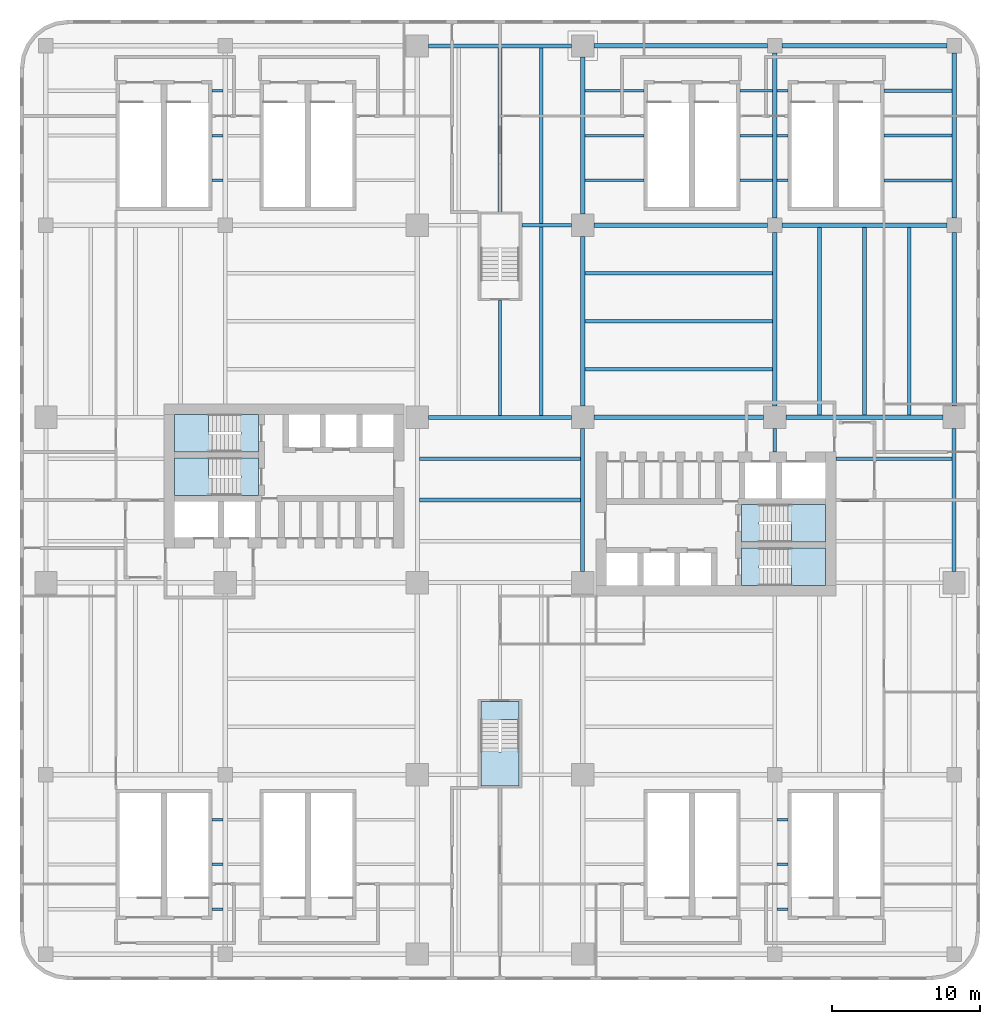
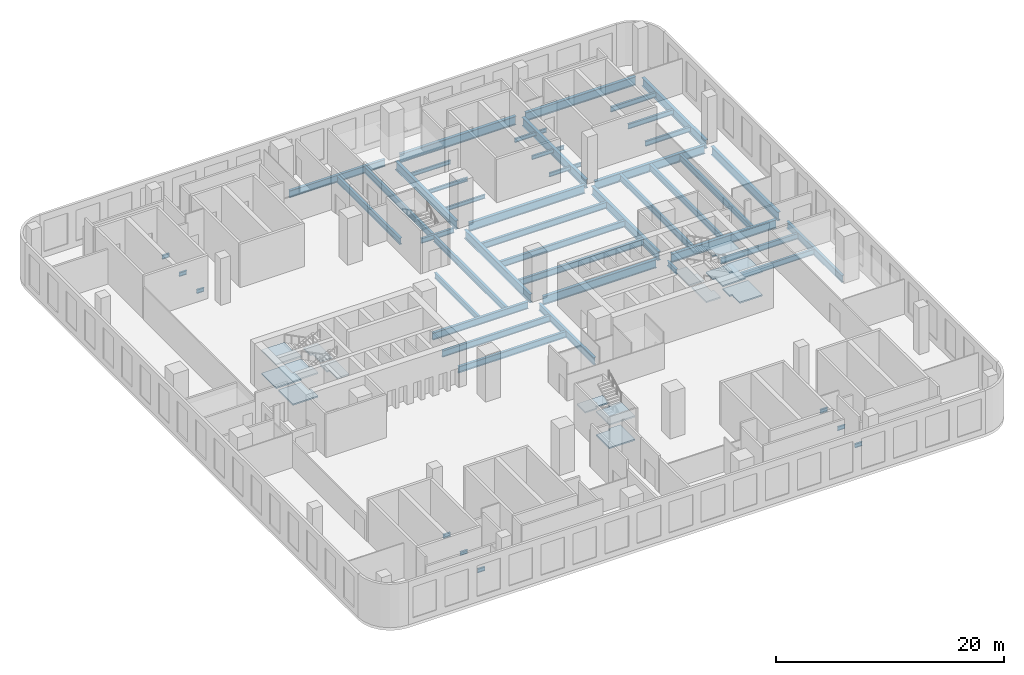
# One storey, part 2 of 13: 53 beams, 15 slabs, 5 elements without a shape of their own.
"""IFC4 building model written with IfcOpenShell, lengths in metres."""

from ifc_helpers import new_model, si_unit, direction, frame, origin, origin_2d, place, context, subcontext, project, spatial, polyline, i_section, outline, extrude, source, transform, mapped, material, layer, layer_set, material_profile, profile_set, type_object, element, aggregate, save


model = new_model("IFC4")

# Units and contexts
model_context = context("Model", 3, precision=1e-05, world=origin(), true_north=direction((0.0, 1.0)))
body_context = subcontext(model_context, "Body", "Model", "MODEL_VIEW")
ifc_project = project(units=[si_unit("LENGTHUNIT", "METRE"), si_unit("AREAUNIT", "SQUARE_METRE"), si_unit("VOLUMEUNIT", "CUBIC_METRE"), si_unit("PLANEANGLEUNIT", "RADIAN"), si_unit("MASSUNIT", "GRAM", prefix="KILO")], contexts=[model_context])

# Site, building, storey
site_placement = place(None, origin())
site = spatial("IfcSite", under=ifc_project, at=site_placement, CompositionType="ELEMENT")
building_placement = place(site_placement, origin())
building = spatial("IfcBuilding", under=site, at=building_placement, Name="Trellis Farm Tower", CompositionType="ELEMENT")
storey_placement = place(building_placement, frame((0.0, 0.0, 29.0)))
storey = spatial("IfcBuildingStorey", under=building, at=storey_placement, Name="L05", CompositionType="ELEMENT", Elevation=29.0)

# Beams
ifc_material_1 = material(Name="Steel S355", Category="steel")
ifc_material_profile_1 = material_profile(ifc_material_1, i_section(OverallWidth=0.253662109375, OverallDepth=0.68359375, WebThickness=0.012451171875, FlangeThickness=0.021728515625, FilletRadius=0.01513671875, at=origin_2d()), Name="UB 686x254x140")
ifc_profile_set_1 = profile_set([ifc_material_profile_1], Name="Steel S355")
beam_type_1 = type_object("IfcBeamType", Name="UB 686x254x140 joist", PredefinedType="JOIST", material=ifc_profile_set_1)
shared_shape_1 = source(origin(), body_context, "Body", "SweptSolid", [
    extrude(i_section(OverallWidth=0.253662109375, OverallDepth=0.68359375, WebThickness=0.012451171875, FlangeThickness=0.021728515625, FilletRadius=0.01513671875, at=origin_2d()), origin(), (0.0, 0.0, 1.0), 12.694580078125),
])
for number, where, z_axis, x_axis, name in (
    (1, (5.752685546875, 8.85009765625, -0.641845703125), (1.0, 0.0, 0.0), (0.0, 1.0, 0.0), "Floor beam"),
    (2, (5.752685546875, 12.10009765625, -0.641845703125), (1.0, 0.0, 0.0), (0.0, 1.0, 0.0), "Floor beam"),
    (3, (5.752685546875, 15.35009765625, -0.641845703125), (1.0, 0.0, 0.0), (0.0, 1.0, 0.0), "Floor beam"),
    (4, (21.637451171875, 5.752685546875, -0.641845703125), (0.0, 1.0, 0.0), (-1.0, 0.0, 0.0), "Floor beam"),
    (5, (24.675048828125, 5.752685546875, -0.641845703125), (0.0, 1.0, 0.0), (-1.0, 0.0, 0.0), "Floor beam"),
    (6, (27.71240234375, 5.752685546875, -0.641845703125), (0.0, 1.0, 0.0), (-1.0, 0.0, 0.0), "Floor beam"),
):
    element("IfcBeam", number, at=place(storey_placement, frame(where, z_axis=z_axis, x_axis=x_axis)), inside=storey, type_object=beam_type_1, Name=name, PredefinedType="JOIST", context=body_context, shape_type="MappedRepresentation", body=[
        mapped(shared_shape_1, transform((0.0, 0.0, 0.0))),
    ])
ifc_material_profile_2 = material_profile(ifc_material_1, i_section(OverallWidth=0.2275390625, OverallDepth=0.6025390625, WebThickness=0.010498046875, FlangeThickness=0.014892578125, FilletRadius=0.0126953125, at=origin_2d()), Name="UB 610x229x101")
ifc_profile_set_2 = profile_set([ifc_material_profile_2], Name="Steel S355")
beam_type_2 = type_object("IfcBeamType", Name="UB 610x229x101 joist", PredefinedType="JOIST", material=ifc_profile_set_2)
shared_shape_2 = source(origin(), body_context, "Body", "SweptSolid", [
    extrude(i_section(OverallWidth=0.2275390625, OverallDepth=0.6025390625, WebThickness=0.010498046875, FlangeThickness=0.014892578125, FilletRadius=0.0126953125, at=origin_2d()), origin(), (0.0, 0.0, 1.0), 7.86669921875),
])
for number, where, z_axis, x_axis, name in (
    (7, (22.75, 0.0, -0.601318359375), (1.0, 0.0, 0.0), (0.0, 1.0, 0.0), "Floor beam"),
    (8, (22.75, 2.800048828125, -0.601318359375), (1.0, 0.0, 0.0), (0.0, 1.0, 0.0), "Floor beam"),
):
    element("IfcBeam", number, at=place(storey_placement, frame(where, z_axis=z_axis, x_axis=x_axis)), inside=storey, type_object=beam_type_2, Name=name, PredefinedType="JOIST", context=body_context, shape_type="MappedRepresentation", body=[
        mapped(shared_shape_2, transform((0.0, 0.0, 0.0))),
    ])
shared_shape_3 = source(origin(), body_context, "Body", "SweptSolid", [
    extrude(i_section(OverallWidth=0.253662109375, OverallDepth=0.68359375, WebThickness=0.012451171875, FlangeThickness=0.021728515625, FilletRadius=0.01513671875, at=origin_2d()), origin(), (0.0, 0.0, 1.0), 10.93310546875),
])
for number, where, z_axis, x_axis, name in (
    (9, (-5.466552734375, 0.0, -0.641845703125), (1.0, 0.0, 0.0), (0.0, 1.0, 0.0), "Floor beam"),
    (10, (-5.466552734375, 2.800048828125, -0.641845703125), (1.0, 0.0, 0.0), (0.0, 1.0, 0.0), "Floor beam"),
):
    element("IfcBeam", number, at=place(storey_placement, frame(where, z_axis=z_axis, x_axis=x_axis)), inside=storey, type_object=beam_type_1, Name=name, PredefinedType="JOIST", context=body_context, shape_type="MappedRepresentation", body=[
        mapped(shared_shape_3, transform((0.0, 0.0, 0.0))),
    ])
shared_shape_4 = source(origin(), body_context, "Body", "SweptSolid", [
    extrude(i_section(OverallWidth=0.2275390625, OverallDepth=0.6025390625, WebThickness=0.010498046875, FlangeThickness=0.014892578125, FilletRadius=0.0126953125, at=origin_2d()), origin(), (0.0, 0.0, 1.0), 7.7666015625),
])
beam_1_placement = place(storey_placement, frame((0.0, 5.7333984375, -0.601318359375), z_axis=(0.0, 1.0, 0.0), x_axis=(-1.0, 0.0, 0.0)))
element("IfcBeam", 11, at=beam_1_placement, inside=storey, type_object=beam_type_2, Name="Floor beam", PredefinedType="JOIST", context=body_context, shape_type="MappedRepresentation", body=[
    mapped(shared_shape_4, transform((0.0, 0.0, 0.0))),
])
shared_shape_5 = source(origin(), body_context, "Body", "SweptSolid", [
    extrude(i_section(OverallWidth=0.253662109375, OverallDepth=0.68359375, WebThickness=0.012451171875, FlangeThickness=0.021728515625, FilletRadius=0.01513671875, at=origin_2d()), origin(), (0.0, 0.0, 1.0), 11.11669921875),
])
beam_2_placement = place(storey_placement, frame((0.0, 19.5, -0.641845703125), z_axis=(0.0, 1.0, 0.0), x_axis=(-1.0, 0.0, 0.0)))
element("IfcBeam", 12, at=beam_2_placement, inside=storey, type_object=beam_type_1, Name="Floor beam", PredefinedType="JOIST", context=body_context, shape_type="MappedRepresentation", body=[
    mapped(shared_shape_5, transform((0.0, 0.0, 0.0))),
])
ifc_material_profile_3 = material_profile(ifc_material_1, i_section(OverallWidth=0.177978515625, OverallDepth=0.406494140625, WebThickness=0.0078125, FlangeThickness=0.0126953125, FilletRadius=0.01025390625, at=origin_2d()), Name="UB 406x178x60")
ifc_profile_set_3 = profile_set([ifc_material_profile_3], Name="Steel S355")
beam_type_3 = type_object("IfcBeamType", Name="UB 406x178x60 joist", PredefinedType="JOIST", material=ifc_profile_set_3)
shared_shape_6 = source(origin(), body_context, "Body", "SweptSolid", [
    extrude(i_section(OverallWidth=0.177978515625, OverallDepth=0.406494140625, WebThickness=0.0078125, FlangeThickness=0.0126953125, FilletRadius=0.01025390625, at=origin_2d()), origin(), (0.0, 0.0, 1.0), 2.197265625),
])
for number, where, z_axis, x_axis, name in (
    (13, (16.25, 21.637451171875, -0.503173828125), (1.0, 0.0, 0.0), (0.0, 1.0, 0.0), "Floor beam"),
    (14, (16.25, 24.675048828125, -0.503173828125), (1.0, 0.0, 0.0), (0.0, 1.0, 0.0), "Floor beam"),
    (15, (16.25, 27.71240234375, -0.503173828125), (1.0, 0.0, 0.0), (0.0, 1.0, 0.0), "Floor beam"),
):
    element("IfcBeam", number, at=place(storey_placement, frame(where, z_axis=z_axis, x_axis=x_axis)), inside=storey, type_object=beam_type_3, Name=name, PredefinedType="JOIST", context=body_context, shape_type="MappedRepresentation", body=[
        mapped(shared_shape_6, transform((0.0, 0.0, 0.0))),
    ])
shared_shape_7 = source(origin(), body_context, "Body", "SweptSolid", [
    extrude(i_section(OverallWidth=0.177978515625, OverallDepth=0.406494140625, WebThickness=0.0078125, FlangeThickness=0.0126953125, FilletRadius=0.01025390625, at=origin_2d()), origin(), (0.0, 0.0, 1.0), 0.747314453125),
])
for number, where, z_axis, x_axis, name in (
    (16, (-19.5, -27.71240234375, -0.503173828125), (1.0, 0.0, 0.0), (0.0, 1.0, 0.0), "Floor beam"),
    (17, (18.752685546875, -27.71240234375, -0.503173828125), (1.0, 0.0, 0.0), (0.0, 1.0, 0.0), "Floor beam"),
    (18, (-19.5, -24.675048828125, -0.503173828125), (1.0, 0.0, 0.0), (0.0, 1.0, 0.0), "Floor beam"),
    (19, (18.752685546875, -24.675048828125, -0.503173828125), (1.0, 0.0, 0.0), (0.0, 1.0, 0.0), "Floor beam"),
    (20, (-19.5, -21.637451171875, -0.503173828125), (1.0, 0.0, 0.0), (0.0, 1.0, 0.0), "Floor beam"),
    (21, (18.752685546875, -21.637451171875, -0.503173828125), (1.0, 0.0, 0.0), (0.0, 1.0, 0.0), "Floor beam"),
    (22, (-19.5, 21.637451171875, -0.503173828125), (1.0, 0.0, 0.0), (0.0, 1.0, 0.0), "Floor beam"),
    (23, (18.752685546875, 21.637451171875, -0.503173828125), (1.0, 0.0, 0.0), (0.0, 1.0, 0.0), "Floor beam"),
    (24, (-19.5, 24.675048828125, -0.503173828125), (1.0, 0.0, 0.0), (0.0, 1.0, 0.0), "Floor beam"),
    (25, (18.752685546875, 24.675048828125, -0.503173828125), (1.0, 0.0, 0.0), (0.0, 1.0, 0.0), "Floor beam"),
    (26, (-19.5, 27.71240234375, -0.503173828125), (1.0, 0.0, 0.0), (0.0, 1.0, 0.0), "Floor beam"),
    (27, (18.752685546875, 27.71240234375, -0.503173828125), (1.0, 0.0, 0.0), (0.0, 1.0, 0.0), "Floor beam"),
):
    element("IfcBeam", number, at=place(storey_placement, frame(where, z_axis=z_axis, x_axis=x_axis)), inside=storey, type_object=beam_type_3, Name=name, PredefinedType="JOIST", context=body_context, shape_type="MappedRepresentation", body=[
        mapped(shared_shape_7, transform((0.0, 0.0, 0.0))),
    ])
ifc_material_profile_4 = material_profile(ifc_material_1, i_section(OverallWidth=0.209228515625, OverallDepth=0.533203125, WebThickness=0.010009765625, FlangeThickness=0.015625, FilletRadius=0.0126953125, at=origin_2d()), Name="UB 533x210x92")
ifc_profile_set_4 = profile_set([ifc_material_profile_4], Name="Steel S355")
beam_type_4 = type_object("IfcBeamType", Name="UB 533x210x92 joist", PredefinedType="JOIST", material=ifc_profile_set_4)
shared_shape_8 = source(origin(), body_context, "Body", "SweptSolid", [
    extrude(i_section(OverallWidth=0.209228515625, OverallDepth=0.533203125, WebThickness=0.010009765625, FlangeThickness=0.015625, FilletRadius=0.0126953125, at=origin_2d()), origin(), (0.0, 0.0, 1.0), 4.59716796875),
])
for number, where, z_axis, x_axis, name in (
    (28, (26.0, 21.637451171875, -0.56640625), (1.0, 0.0, 0.0), (0.0, 1.0, 0.0), "Floor beam"),
    (29, (26.0, 24.675048828125, -0.56640625), (1.0, 0.0, 0.0), (0.0, 1.0, 0.0), "Floor beam"),
    (30, (26.0, 27.71240234375, -0.56640625), (1.0, 0.0, 0.0), (0.0, 1.0, 0.0), "Floor beam"),
):
    element("IfcBeam", number, at=place(storey_placement, frame(where, z_axis=z_axis, x_axis=x_axis)), inside=storey, type_object=beam_type_4, Name=name, PredefinedType="JOIST", context=body_context, shape_type="MappedRepresentation", body=[
        mapped(shared_shape_8, transform((0.0, 0.0, 0.0))),
    ])
shared_shape_9 = source(origin(), body_context, "Body", "SweptSolid", [
    extrude(i_section(OverallWidth=0.253662109375, OverallDepth=0.68359375, WebThickness=0.012451171875, FlangeThickness=0.021728515625, FilletRadius=0.01513671875, at=origin_2d()), origin(), (0.0, 0.0, 1.0), 12.761962890625),
])
beam_3_placement = place(storey_placement, frame((2.800048828125, 5.7333984375, -0.641845703125), z_axis=(0.0, 1.0, 0.0), x_axis=(-1.0, 0.0, 0.0)))
element("IfcBeam", 31, at=beam_3_placement, inside=storey, type_object=beam_type_1, Name="Floor beam", PredefinedType="JOIST", context=body_context, shape_type="MappedRepresentation", body=[
    mapped(shared_shape_9, transform((0.0, 0.0, 0.0))),
])
shared_shape_10 = source(origin(), body_context, "Body", "SweptSolid", [
    extrude(i_section(OverallWidth=0.253662109375, OverallDepth=0.68359375, WebThickness=0.012451171875, FlangeThickness=0.021728515625, FilletRadius=0.01513671875, at=origin_2d()), origin(), (0.0, 0.0, 1.0), 11.912109375),
])
beam_4_placement = place(storey_placement, frame((2.800048828125, 18.70458984375, -0.641845703125), z_axis=(0.0, 1.0, 0.0), x_axis=(-1.0, 0.0, 0.0)))
element("IfcBeam", 32, at=beam_4_placement, inside=storey, type_object=beam_type_1, Name="Floor beam", PredefinedType="JOIST", context=body_context, shape_type="MappedRepresentation", body=[
    mapped(shared_shape_10, transform((0.0, 0.0, 0.0))),
])
ifc_material_profile_5 = material_profile(ifc_material_1, i_section(OverallWidth=0.209228515625, OverallDepth=0.533203125, WebThickness=0.010009765625, FlangeThickness=0.015625, FilletRadius=0.0126953125, at=origin_2d()), Name="UB 533x210x92")
ifc_profile_set_5 = profile_set([ifc_material_profile_5], Name="Steel S355")
beam_type_5 = type_object("IfcBeamType", Name="UB 533x210x92", PredefinedType="BEAM", material=ifc_profile_set_5)
shared_shape_11 = source(origin(), body_context, "Body", "SweptSolid", [
    extrude(i_section(OverallWidth=0.209228515625, OverallDepth=0.533203125, WebThickness=0.010009765625, FlangeThickness=0.015625, FilletRadius=0.0126953125, at=origin_2d()), origin(), (0.0, 0.0, 1.0), 3.35009765625),
])
beam_5_placement = place(storey_placement, frame((1.5, 18.60009765625, -0.56640625), z_axis=(1.0, 0.0, 0.0), x_axis=(0.0, 1.0, 0.0)))
element("IfcBeam", 33, at=beam_5_placement, inside=storey, type_object=beam_type_5, Name="Girder", PredefinedType="BEAM", context=body_context, shape_type="MappedRepresentation", body=[
    mapped(shared_shape_11, transform((0.0, 0.0, 0.0))),
])
ifc_material_profile_6 = material_profile(ifc_material_1, i_section(OverallWidth=0.2666015625, OverallDepth=0.76220703125, WebThickness=0.014404296875, FlangeThickness=0.021484375, FilletRadius=0.0166015625, at=origin_2d()), Name="UB 762x267x173")
ifc_profile_set_6 = profile_set([ifc_material_profile_6], Name="Steel S355")
beam_type_6 = type_object("IfcBeamType", Name="UB 762x267x173", PredefinedType="BEAM", material=ifc_profile_set_6)
shared_shape_12 = source(origin(), body_context, "Body", "SweptSolid", [
    extrude(i_section(OverallWidth=0.2666015625, OverallDepth=0.76220703125, WebThickness=0.014404296875, FlangeThickness=0.021484375, FilletRadius=0.0166015625, at=origin_2d()), origin(), (0.0, 0.0, 1.0), 9.7001953125),
])
for number, where, z_axis, x_axis, name in (
    (34, (-4.85009765625, 5.60009765625, -0.68115234375), (1.0, 0.0, 0.0), (0.0, 1.0, 0.0), "Girder"),
    (35, (-4.85009765625, 30.75, -0.68115234375), (1.0, 0.0, 0.0), (0.0, 1.0, 0.0), "Girder"),
    (36, (5.60009765625, -4.85009765625, -0.68115234375), (0.0, 1.0, 0.0), (-1.0, 0.0, 0.0), "Girder"),
    (37, (30.75, -4.85009765625, -0.68115234375), (0.0, 1.0, 0.0), (-1.0, 0.0, 0.0), "Girder"),
):
    element("IfcBeam", number, at=place(storey_placement, frame(where, z_axis=z_axis, x_axis=x_axis)), inside=storey, type_object=beam_type_6, Name=name, PredefinedType="BEAM", context=body_context, shape_type="MappedRepresentation", body=[
        mapped(shared_shape_12, transform((0.0, 0.0, 0.0))),
    ])
ifc_material_profile_7 = material_profile(ifc_material_1, i_section(OverallWidth=0.305419921875, OverallDepth=0.91845703125, WebThickness=0.017333984375, FlangeThickness=0.02783203125, FilletRadius=0.01904296875, at=origin_2d()), Name="UB 914x305x253")
ifc_profile_set_7 = profile_set([ifc_material_profile_7], Name="Steel S355")
beam_type_7 = type_object("IfcBeamType", Name="UB 914x305x253", PredefinedType="BEAM", material=ifc_profile_set_7)
shared_shape_13 = source(origin(), body_context, "Body", "SweptSolid", [
    extrude(i_section(OverallWidth=0.305419921875, OverallDepth=0.91845703125, WebThickness=0.017333984375, FlangeThickness=0.02783203125, FilletRadius=0.01904296875, at=origin_2d()), origin(), (0.0, 0.0, 1.0), 11.5),
])
for number, where, z_axis, x_axis, name in (
    (38, (6.35009765625, 5.60009765625, -0.75927734375), (1.0, 0.0, 0.0), (0.0, 1.0, 0.0), "Girder"),
    (39, (5.60009765625, 6.35009765625, -0.75927734375), (0.0, 1.0, 0.0), (-1.0, 0.0, 0.0), "Girder"),
):
    element("IfcBeam", number, at=place(storey_placement, frame(where, z_axis=z_axis, x_axis=x_axis)), inside=storey, type_object=beam_type_7, Name=name, PredefinedType="BEAM", context=body_context, shape_type="MappedRepresentation", body=[
        mapped(shared_shape_13, transform((0.0, 0.0, 0.0))),
    ])
shared_shape_14 = source(origin(), body_context, "Body", "SweptSolid", [
    extrude(i_section(OverallWidth=0.305419921875, OverallDepth=0.91845703125, WebThickness=0.017333984375, FlangeThickness=0.02783203125, FilletRadius=0.01904296875, at=origin_2d()), origin(), (0.0, 0.0, 1.0), 10.64990234375),
])
for number, where, z_axis, x_axis, name in (
    (40, (19.35009765625, 5.60009765625, -0.75927734375), (1.0, 0.0, 0.0), (0.0, 1.0, 0.0), "Girder"),
    (41, (5.60009765625, 19.35009765625, -0.75927734375), (0.0, 1.0, 0.0), (-1.0, 0.0, 0.0), "Girder"),
):
    element("IfcBeam", number, at=place(storey_placement, frame(where, z_axis=z_axis, x_axis=x_axis)), inside=storey, type_object=beam_type_7, Name=name, PredefinedType="BEAM", context=body_context, shape_type="MappedRepresentation", body=[
        mapped(shared_shape_14, transform((0.0, 0.0, 0.0))),
    ])
shared_shape_15 = source(origin(), body_context, "Body", "SweptSolid", [
    extrude(i_section(OverallWidth=0.209228515625, OverallDepth=0.533203125, WebThickness=0.010009765625, FlangeThickness=0.015625, FilletRadius=0.0126953125, at=origin_2d()), origin(), (0.0, 0.0, 1.0), 1.60009765625),
])
beam_6_placement = place(storey_placement, frame((18.60009765625, 3.25, -0.56640625), z_axis=(0.0, 1.0, 0.0), x_axis=(-1.0, 0.0, 0.0)))
element("IfcBeam", 42, at=beam_6_placement, inside=storey, type_object=beam_type_5, Name="Girder", PredefinedType="BEAM", context=body_context, shape_type="MappedRepresentation", body=[
    mapped(shared_shape_15, transform((0.0, 0.0, 0.0))),
])
shared_shape_16 = source(origin(), body_context, "Body", "SweptSolid", [
    extrude(i_section(OverallWidth=0.177978515625, OverallDepth=0.406494140625, WebThickness=0.0078125, FlangeThickness=0.0126953125, FilletRadius=0.01025390625, at=origin_2d()), origin(), (0.0, 0.0, 1.0), 3.997314453125),
])
for number, where, z_axis, x_axis, name in (
    (43, (5.752685546875, 21.637451171875, -0.503173828125), (1.0, 0.0, 0.0), (0.0, 1.0, 0.0), "Floor beam"),
    (44, (5.752685546875, 24.675048828125, -0.503173828125), (1.0, 0.0, 0.0), (0.0, 1.0, 0.0), "Floor beam"),
    (45, (5.752685546875, 27.71240234375, -0.503173828125), (1.0, 0.0, 0.0), (0.0, 1.0, 0.0), "Floor beam"),
):
    element("IfcBeam", number, at=place(storey_placement, frame(where, z_axis=z_axis, x_axis=x_axis)), inside=storey, type_object=beam_type_3, Name=name, PredefinedType="JOIST", context=body_context, shape_type="MappedRepresentation", body=[
        mapped(shared_shape_16, transform((0.0, 0.0, 0.0))),
    ])
shared_shape_17 = source(origin(), body_context, "Body", "SweptSolid", [
    extrude(i_section(OverallWidth=0.305419921875, OverallDepth=0.91845703125, WebThickness=0.017333984375, FlangeThickness=0.02783203125, FilletRadius=0.01904296875, at=origin_2d()), origin(), (0.0, 0.0, 1.0), 11.75),
])
for number, where, z_axis, x_axis, name in (
    (46, (6.35009765625, 18.60009765625, -0.75927734375), (1.0, 0.0, 0.0), (0.0, 1.0, 0.0), "Girder"),
    (47, (6.35009765625, 30.75, -0.75927734375), (1.0, 0.0, 0.0), (0.0, 1.0, 0.0), "Girder"),
    (48, (18.60009765625, 6.35009765625, -0.75927734375), (0.0, 1.0, 0.0), (-1.0, 0.0, 0.0), "Girder"),
    (49, (30.75, 6.35009765625, -0.75927734375), (0.0, 1.0, 0.0), (-1.0, 0.0, 0.0), "Girder"),
):
    element("IfcBeam", number, at=place(storey_placement, frame(where, z_axis=z_axis, x_axis=x_axis)), inside=storey, type_object=beam_type_7, Name=name, PredefinedType="BEAM", context=body_context, shape_type="MappedRepresentation", body=[
        mapped(shared_shape_17, transform((0.0, 0.0, 0.0))),
    ])
shared_shape_18 = source(origin(), body_context, "Body", "SweptSolid", [
    extrude(i_section(OverallWidth=0.305419921875, OverallDepth=0.91845703125, WebThickness=0.017333984375, FlangeThickness=0.02783203125, FilletRadius=0.01904296875, at=origin_2d()), origin(), (0.0, 0.0, 1.0), 11.14990234375),
])
for number, where, z_axis, x_axis, name in (
    (50, (19.10009765625, 18.60009765625, -0.75927734375), (1.0, 0.0, 0.0), (0.0, 1.0, 0.0), "Girder"),
    (51, (19.10009765625, 30.75, -0.75927734375), (1.0, 0.0, 0.0), (0.0, 1.0, 0.0), "Girder"),
    (52, (18.60009765625, 19.10009765625, -0.75927734375), (0.0, 1.0, 0.0), (-1.0, 0.0, 0.0), "Girder"),
    (53, (30.75, 19.10009765625, -0.75927734375), (0.0, 1.0, 0.0), (-1.0, 0.0, 0.0), "Girder"),
):
    element("IfcBeam", number, at=place(storey_placement, frame(where, z_axis=z_axis, x_axis=x_axis)), inside=storey, type_object=beam_type_7, Name=name, PredefinedType="BEAM", context=body_context, shape_type="MappedRepresentation", body=[
        mapped(shared_shape_18, transform((0.0, 0.0, 0.0))),
    ])

# Stair, slabs
ifc_material_2 = material(Name="Concrete C50/60", Category="concrete")
stair_type = type_object("IfcStairType", Name="CORE EXIT STAIR 36 RISERS 139 MM", PredefinedType="HALF_TURN_STAIR", material=ifc_material_2)
placement_1 = place(storey_placement, origin())
stair_1 = element("IfcStair", 54, at=placement_1, inside=storey, type_object=stair_type, Name="Exit stair S", PredefinedType="HALF_TURN_STAIR")
ifc_layer = layer(ifc_material_2, 0.14990234375)
ifc_layer_set = layer_set([ifc_layer], Name="CORE STAIR LANDING 150 CONCRETE C50/60")
slab_type = type_object("IfcSlabType", Name="CORE STAIR LANDING 150 CONCRETE C50/60", PredefinedType="LANDING", material=ifc_layer_set)
shared_shape_19 = source(origin(), body_context, "Body", "SweptSolid", [
    extrude(outline(polyline([(1.300048828125, -19.35009765625), (-1.300048828125, -19.35009765625), (-1.300048828125, -17.050048828125), (-1.300048828125, -17.0400390625), (-0.10009765625, -17.0400390625), (-0.10009765625, -17.050048828125), (0.10009765625, -17.050048828125), (0.10009765625, -16.79052734375), (1.300048828125, -16.79052734375), (1.300048828125, -17.050048828125), (1.300048828125, -19.35009765625)])), origin(), (0.0, 0.0, 1.0), 0.14990234375),
])
placement_2 = place(storey_placement, frame((0.0, 0.0, 1.10009765625)))
slab_1 = element("IfcSlab", 55, at=placement_2, type_object=slab_type, Name="STS landing 1", PredefinedType="LANDING", context=body_context, shape_type="MappedRepresentation", body=[
    mapped(shared_shape_19, transform((0.0, 0.0, 0.0))),
])
placement_3 = place(storey_placement, frame((0.0, 0.0, 3.60009765625)))
slab_2 = element("IfcSlab", 56, at=placement_3, type_object=slab_type, Name="STS landing 3", PredefinedType="LANDING", context=body_context, shape_type="MappedRepresentation", body=[
    mapped(shared_shape_19, transform((0.0, 0.0, 0.0))),
])
shared_shape_20 = source(origin(), body_context, "Body", "SweptSolid", [
    extrude(outline(polyline([(-0.10009765625, -15.109375), (-1.300048828125, -15.109375), (-1.300048828125, -14.85009765625), (-1.300048828125, -13.64990234375), (1.300048828125, -13.64990234375), (1.300048828125, -14.85009765625), (1.300048828125, -14.860107421875), (0.10009765625, -14.860107421875), (0.10009765625, -14.85009765625), (-0.10009765625, -14.85009765625), (-0.10009765625, -15.109375)])), origin(), (0.0, 0.0, 1.0), 0.14990234375),
])
placement_4 = place(storey_placement, frame((0.0, 0.0, 2.35009765625)))
slab_3 = element("IfcSlab", 57, at=placement_4, type_object=slab_type, Name="STS landing 2", PredefinedType="LANDING", context=body_context, shape_type="MappedRepresentation", body=[
    mapped(shared_shape_20, transform((0.0, 0.0, 0.0))),
])
aggregate(stair_1, [slab_1, slab_3, slab_2])

stair_2 = element("IfcStair", 58, at=placement_1, inside=storey, type_object=stair_type, Name="Exit stair E1", PredefinedType="HALF_TURN_STAIR")
shared_shape_21 = source(origin(), body_context, "Body", "SweptSolid", [
    extrude(outline(polyline([(19.739990234375, -5.800048828125), (19.739990234375, -4.60009765625), (19.75, -4.60009765625), (19.75, -4.449951171875), (19.49072265625, -4.449951171875), (19.49072265625, -3.25), (19.75, -3.25), (22.050048828125, -3.25), (22.050048828125, -5.800048828125), (19.75, -5.800048828125), (19.739990234375, -5.800048828125)])), origin(), (0.0, 0.0, 1.0), 0.14990234375),
])
slab_4 = element("IfcSlab", 59, at=placement_2, type_object=slab_type, Name="STE1 landing 1", PredefinedType="LANDING", context=body_context, shape_type="MappedRepresentation", body=[
    mapped(shared_shape_21, transform((0.0, 0.0, 0.0))),
])
slab_5 = element("IfcSlab", 60, at=placement_3, type_object=slab_type, Name="STE1 landing 3", PredefinedType="LANDING", context=body_context, shape_type="MappedRepresentation", body=[
    mapped(shared_shape_21, transform((0.0, 0.0, 0.0))),
])
shared_shape_22 = source(origin(), body_context, "Body", "SweptSolid", [
    extrude(outline(polyline([(17.809326171875, -4.60009765625), (17.809326171875, -5.800048828125), (17.550048828125, -5.800048828125), (16.35009765625, -5.800048828125), (16.35009765625, -3.25), (17.550048828125, -3.25), (17.56005859375, -3.25), (17.56005859375, -4.449951171875), (17.550048828125, -4.449951171875), (17.550048828125, -4.60009765625), (17.809326171875, -4.60009765625)])), origin(), (0.0, 0.0, 1.0), 0.14990234375),
])
slab_6 = element("IfcSlab", 61, at=placement_4, type_object=slab_type, Name="STE1 landing 2", PredefinedType="LANDING", context=body_context, shape_type="MappedRepresentation", body=[
    mapped(shared_shape_22, transform((0.0, 0.0, 0.0))),
])
aggregate(stair_2, [slab_4, slab_6, slab_5])

stair_3 = element("IfcStair", 62, at=placement_1, inside=storey, type_object=stair_type, Name="Exit stair E2", PredefinedType="HALF_TURN_STAIR")
shared_shape_23 = source(origin(), body_context, "Body", "SweptSolid", [
    extrude(outline(polyline([(19.739990234375, -2.85009765625), (19.739990234375, -1.64990234375), (19.75, -1.64990234375), (19.75, -1.5), (19.49072265625, -1.5), (19.49072265625, -0.300048828125), (19.75, -0.300048828125), (22.050048828125, -0.300048828125), (22.050048828125, -2.85009765625), (19.75, -2.85009765625), (19.739990234375, -2.85009765625)])), origin(), (0.0, 0.0, 1.0), 0.14990234375),
])
slab_7 = element("IfcSlab", 63, at=placement_2, type_object=slab_type, Name="STE2 landing 1", PredefinedType="LANDING", context=body_context, shape_type="MappedRepresentation", body=[
    mapped(shared_shape_23, transform((0.0, 0.0, 0.0))),
])
slab_8 = element("IfcSlab", 64, at=placement_3, type_object=slab_type, Name="STE2 landing 3", PredefinedType="LANDING", context=body_context, shape_type="MappedRepresentation", body=[
    mapped(shared_shape_23, transform((0.0, 0.0, 0.0))),
])
shared_shape_24 = source(origin(), body_context, "Body", "SweptSolid", [
    extrude(outline(polyline([(17.809326171875, -1.64990234375), (17.809326171875, -2.85009765625), (17.550048828125, -2.85009765625), (16.35009765625, -2.85009765625), (16.35009765625, -0.300048828125), (17.550048828125, -0.300048828125), (17.56005859375, -0.300048828125), (17.56005859375, -1.5), (17.550048828125, -1.5), (17.550048828125, -1.64990234375), (17.809326171875, -1.64990234375)])), origin(), (0.0, 0.0, 1.0), 0.14990234375),
])
slab_9 = element("IfcSlab", 65, at=placement_4, type_object=slab_type, Name="STE2 landing 2", PredefinedType="LANDING", context=body_context, shape_type="MappedRepresentation", body=[
    mapped(shared_shape_24, transform((0.0, 0.0, 0.0))),
])
aggregate(stair_3, [slab_7, slab_9, slab_8])

stair_4 = element("IfcStair", 66, at=placement_1, inside=storey, type_object=stair_type, Name="Exit stair W1", PredefinedType="HALF_TURN_STAIR")
shared_shape_25 = source(origin(), body_context, "Body", "SweptSolid", [
    extrude(outline(polyline([(-19.49072265625, 4.449951171875), (-19.49072265625, 3.25), (-19.75, 3.25), (-22.050048828125, 3.25), (-22.050048828125, 5.800048828125), (-19.75, 5.800048828125), (-19.739990234375, 5.800048828125), (-19.739990234375, 4.60009765625), (-19.75, 4.60009765625), (-19.75, 4.449951171875), (-19.49072265625, 4.449951171875)])), origin(), (0.0, 0.0, 1.0), 0.14990234375),
])
slab_10 = element("IfcSlab", 67, at=placement_2, type_object=slab_type, Name="STW1 landing 1", PredefinedType="LANDING", context=body_context, shape_type="MappedRepresentation", body=[
    mapped(shared_shape_25, transform((0.0, 0.0, 0.0))),
])
slab_11 = element("IfcSlab", 68, at=placement_3, type_object=slab_type, Name="STW1 landing 3", PredefinedType="LANDING", context=body_context, shape_type="MappedRepresentation", body=[
    mapped(shared_shape_25, transform((0.0, 0.0, 0.0))),
])
shared_shape_26 = source(origin(), body_context, "Body", "SweptSolid", [
    extrude(outline(polyline([(-17.56005859375, 3.25), (-17.56005859375, 4.449951171875), (-17.550048828125, 4.449951171875), (-17.550048828125, 4.60009765625), (-17.809326171875, 4.60009765625), (-17.809326171875, 5.800048828125), (-17.550048828125, 5.800048828125), (-16.35009765625, 5.800048828125), (-16.35009765625, 3.25), (-17.550048828125, 3.25), (-17.56005859375, 3.25)])), origin(), (0.0, 0.0, 1.0), 0.14990234375),
])
slab_12 = element("IfcSlab", 69, at=placement_4, type_object=slab_type, Name="STW1 landing 2", PredefinedType="LANDING", context=body_context, shape_type="MappedRepresentation", body=[
    mapped(shared_shape_26, transform((0.0, 0.0, 0.0))),
])
aggregate(stair_4, [slab_10, slab_12, slab_11])

stair_5 = element("IfcStair", 70, at=placement_1, inside=storey, type_object=stair_type, Name="Exit stair W2", PredefinedType="HALF_TURN_STAIR")
shared_shape_27 = source(origin(), body_context, "Body", "SweptSolid", [
    extrude(outline(polyline([(-19.49072265625, 1.5), (-19.49072265625, 0.300048828125), (-19.75, 0.300048828125), (-22.050048828125, 0.300048828125), (-22.050048828125, 2.85009765625), (-19.75, 2.85009765625), (-19.739990234375, 2.85009765625), (-19.739990234375, 1.64990234375), (-19.75, 1.64990234375), (-19.75, 1.5), (-19.49072265625, 1.5)])), origin(), (0.0, 0.0, 1.0), 0.14990234375),
])
slab_13 = element("IfcSlab", 71, at=placement_2, type_object=slab_type, Name="STW2 landing 1", PredefinedType="LANDING", context=body_context, shape_type="MappedRepresentation", body=[
    mapped(shared_shape_27, transform((0.0, 0.0, 0.0))),
])
slab_14 = element("IfcSlab", 72, at=placement_3, type_object=slab_type, Name="STW2 landing 3", PredefinedType="LANDING", context=body_context, shape_type="MappedRepresentation", body=[
    mapped(shared_shape_27, transform((0.0, 0.0, 0.0))),
])
shared_shape_28 = source(origin(), body_context, "Body", "SweptSolid", [
    extrude(outline(polyline([(-17.56005859375, 0.300048828125), (-17.56005859375, 1.5), (-17.550048828125, 1.5), (-17.550048828125, 1.64990234375), (-17.809326171875, 1.64990234375), (-17.809326171875, 2.85009765625), (-17.550048828125, 2.85009765625), (-16.35009765625, 2.85009765625), (-16.35009765625, 0.300048828125), (-17.550048828125, 0.300048828125), (-17.56005859375, 0.300048828125)])), origin(), (0.0, 0.0, 1.0), 0.14990234375),
])
slab_15 = element("IfcSlab", 73, at=placement_4, type_object=slab_type, Name="STW2 landing 2", PredefinedType="LANDING", context=body_context, shape_type="MappedRepresentation", body=[
    mapped(shared_shape_28, transform((0.0, 0.0, 0.0))),
])
aggregate(stair_5, [slab_13, slab_15, slab_14])

save(model, "model.ifc")
